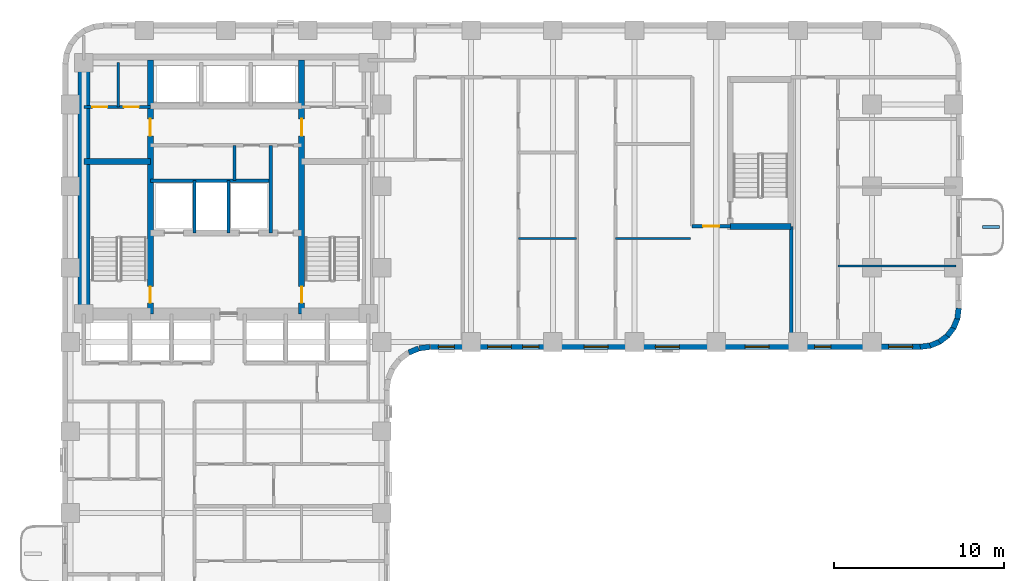
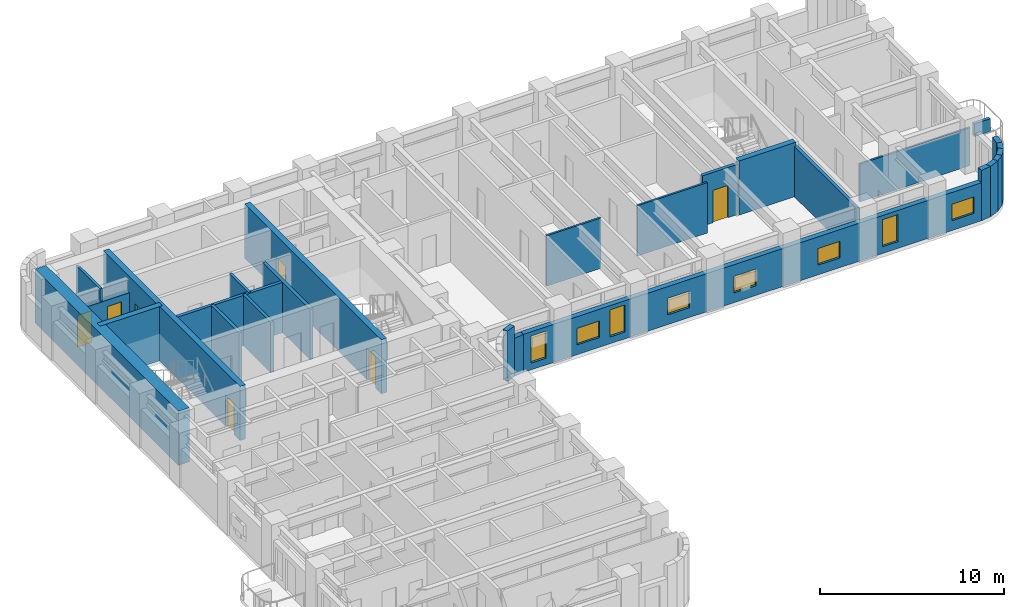
# One storey, part 5 of 11: 27 walls, 8 windows, 7 doors, 15 openings.
"""IFC4 building model written with IfcOpenShell, lengths in metres."""

import ifcopenshell
import ifcopenshell.guid

model = None  # the IFC model being written
_history = None  # IfcOwnerHistory: only IFC2X3 demands one
_inside = {}  # id of a spatial element -> (the spatial element, [elements in it])
_under = {}  # id of a project, library or spatial element -> (it, [spatial elements below it])
_declared = {}  # id of a project -> (the project, [libraries it declares])
_typed = {}  # id of a type object -> (the type object, [elements of that type])
_made_of = {}  # id of a material, layer set ... -> (it, [elements and type objects made of it])


def new_model(schema):
    """Start an empty IFC model of exactly this schema.

    Asked for "IFC4X3", IfcOpenShell would pick the latest addendum, in which some entities
    have other attributes; the version numbers below select the first issue.
    IFC2X3 requires an IfcOwnerHistory on every rooted entity: one is made here for all.
    """
    global model, _history
    if schema == "IFC4X3":
        model = ifcopenshell.file(schema_version=(4, 3, 0, 0))
    else:
        model = ifcopenshell.file(schema=schema)
    _inside.clear()
    _under.clear()
    _declared.clear()
    _typed.clear()
    _made_of.clear()
    _history = None
    if model.schema == "IFC2X3":
        org = make("IfcOrganization", Name="unknown")
        user = make(
            "IfcPersonAndOrganization",
            ThePerson=make("IfcPerson", FamilyName="unknown"),
            TheOrganization=org,
        )
        app = make(
            "IfcApplication",
            ApplicationDeveloper=org,
            Version="unknown",
            ApplicationFullName="unknown",
            ApplicationIdentifier="unknown",
        )
        _history = make(
            "IfcOwnerHistory",
            OwningUser=user,
            OwningApplication=app,
            ChangeAction="ADDED",
            CreationDate=0,
        )
    return model


def make(cls, **values):
    """One entity of the class cls with the attributes given. An attribute that is None is left unset."""
    return model.create_entity(
        cls, **{name: value for name, value in values.items() if value is not None}
    )


def rooted(cls, **values):
    """An entity with a GlobalId (a new one), such as an element, a storey or a relation."""
    return make(cls, GlobalId=ifcopenshell.guid.new(), OwnerHistory=_history, **values)


def si_unit(unit_type, name, prefix=None):
    """IfcSIUnit, for example si_unit("LENGTHUNIT", "METRE", prefix="MILLI")."""
    return make("IfcSIUnit", UnitType=unit_type, Prefix=prefix, Name=name)


def assignment(units):
    """IfcUnitAssignment: the units of a project."""
    return None if units is None else make("IfcUnitAssignment", Units=units)


def point(xyz):
    """IfcCartesianPoint."""
    return None if xyz is None else make("IfcCartesianPoint", Coordinates=xyz)


def direction(xyz):
    """IfcDirection."""
    return None if xyz is None else make("IfcDirection", DirectionRatios=xyz)


def frame(location, z_axis=None, x_axis=None):
    """IfcAxis2Placement3D, a coordinate frame: its origin and axes. An axis left out is left unset."""
    return make(
        "IfcAxis2Placement3D",
        Location=point(location),
        Axis=direction(z_axis),
        RefDirection=direction(x_axis),
    )


def frame_2d(location, x_axis=None):
    """IfcAxis2Placement2D, a coordinate frame in the plane: its origin and x axis."""
    return make(
        "IfcAxis2Placement2D", Location=point(location), RefDirection=direction(x_axis)
    )


def origin():
    """The frame at (0, 0, 0) with its axes left unset."""
    return frame((0.0, 0.0, 0.0))


def place(relative_to, where):
    """IfcLocalPlacement: puts the frame where relative to a parent placement (None: the world)."""
    return make(
        "IfcLocalPlacement", PlacementRelTo=relative_to, RelativePlacement=where
    )


def context(
    kind, dimensions, precision=None, world=None, true_north=None, identifier=None
):
    """IfcGeometricRepresentationContext, for example the 3D "Model" context."""
    return make(
        "IfcGeometricRepresentationContext",
        ContextIdentifier=identifier,
        ContextType=kind,
        CoordinateSpaceDimension=dimensions,
        Precision=precision,
        WorldCoordinateSystem=world,
        TrueNorth=true_north,
    )


def subcontext(parent, identifier, kind, view, scale=None):
    """IfcGeometricRepresentationSubContext, for example "Body" below "Model"."""
    return make(
        "IfcGeometricRepresentationSubContext",
        ContextIdentifier=identifier,
        ContextType=kind,
        ParentContext=parent,
        TargetScale=scale,
        TargetView=view,
    )


def project(units=None, contexts=None):
    """IfcProject with its units and contexts."""
    return rooted(
        "IfcProject",
        Name="project",
        RepresentationContexts=contexts,
        UnitsInContext=assignment(units),
    )


def spatial(cls, under=None, at=None, **own):
    """A site, building, storey or space (cls), placed at a placement, below another one or the project."""
    s = rooted(cls, ObjectPlacement=at, **own)
    if under is not None:
        _under.setdefault(under.id(), (under, []))[1].append(s)
    return s


def profile(cls, at=None, kind="AREA", **sizes):
    """A parametric profile (cls). Its sizes go by their IFC names, for example OverallWidth=200.0."""
    return make(cls, ProfileType=kind, Position=at, **sizes)


def rectangle(**sizes):
    """IfcRectangleProfileDef."""
    return profile("IfcRectangleProfileDef", **sizes)


def extrude(swept, where, along, depth):
    """IfcExtrudedAreaSolid: the profile swept, set in the frame where, extruded along a direction by depth."""
    return make(
        "IfcExtrudedAreaSolid",
        SweptArea=swept,
        Position=where,
        ExtrudedDirection=direction(along),
        Depth=depth,
    )


def shape(context_of_items, identifier, shape_type, items):
    """IfcShapeRepresentation: the items that make up one representation, for example the "Body"."""
    return make(
        "IfcShapeRepresentation",
        ContextOfItems=context_of_items,
        RepresentationIdentifier=identifier,
        RepresentationType=shape_type,
        Items=items,
    )


def material(Name=None, Category=None):
    """IfcMaterial."""
    return make("IfcMaterial", Name=Name, Category=Category)


def layer(
    of_material, thickness, ventilated=None, Name=None, Category=None, Priority=None
):
    """IfcMaterialLayer: one layer of a wall or slab, of a material (None: an air gap)."""
    return make(
        "IfcMaterialLayer",
        Material=of_material,
        LayerThickness=thickness,
        IsVentilated=ventilated,
        Name=Name,
        Category=Category,
        Priority=Priority,
    )


def layer_set(layers, Name=None):
    """IfcMaterialLayerSet."""
    return make("IfcMaterialLayerSet", MaterialLayers=layers, LayerSetName=Name)


def made_of(thing, what):
    """Note that an element or type object is made of a material, layer set ...; save() writes the relation."""
    if what is not None:
        _made_of.setdefault(what.id(), (what, []))[1].append(thing)
    return thing


def type_object(cls, material=None, **own):
    """A type object (cls), such as IfcWallType, which elements share."""
    return made_of(rooted(cls, **own), material)


def element(
    cls,
    number,
    at=None,
    inside=None,
    cuts=None,
    type_object=None,
    material=None,
    context=None,
    identifier="Body",
    shape_type=None,
    held_by="IfcProductDefinitionShape",
    body=None,
    shapes=None,
    **own,
):
    """One element of the class cls, such as IfcWall. Its Tag is "e" and its number.

    at: its placement. inside: the storey or other place that contains it. cuts: it is an
    opening in that element (IfcRelVoidsElement). A single representation is given by context,
    identifier, shape_type and body (its items); several are given by shapes. held_by: the class
    of the entity that holds the representations. save() writes the other relations.
    """
    e = rooted(cls, Tag="e%d" % number, ObjectPlacement=at, **own)
    if body is not None:
        shapes = [shape(context, identifier, shape_type, body)]
    if shapes is not None:
        e.Representation = make(held_by, Representations=shapes)
    if inside is not None:
        _inside.setdefault(inside.id(), (inside, []))[1].append(e)
    if cuts is not None:
        rooted(
            "IfcRelVoidsElement", RelatingBuildingElement=cuts, RelatedOpeningElement=e
        )
    if type_object is not None:
        _typed.setdefault(type_object.id(), (type_object, []))[1].append(e)
    return made_of(e, material)


def fill(opening, filler):
    """IfcRelFillsElement: the door or window that sits in an opening."""
    return rooted(
        "IfcRelFillsElement",
        RelatingOpeningElement=opening,
        RelatedBuildingElement=filler,
    )


def aggregate(whole, parts):
    """IfcRelAggregates: a whole, such as a stair, and the parts it consists of."""
    return rooted("IfcRelAggregates", RelatingObject=whole, RelatedObjects=parts)


def save(model, path):
    """Write the relations noted so far, then the file.

    IfcRelAggregates (storeys below a building ...), IfcRelContainedInSpatialStructure (elements
    in a storey), IfcRelDefinesByType, IfcRelAssociatesMaterial and IfcRelDeclares: one each for
    every whole, place, type object, material and project.
    """
    for whole, parts in _under.values():
        aggregate(whole, parts)
    for where, things in _inside.values():
        rooted(
            "IfcRelContainedInSpatialStructure",
            RelatedElements=things,
            RelatingStructure=where,
        )
    for kind, things in _typed.values():
        rooted("IfcRelDefinesByType", RelatedObjects=things, RelatingType=kind)
    for what, things in _made_of.values():
        rooted("IfcRelAssociatesMaterial", RelatedObjects=things, RelatingMaterial=what)
    for by, libraries in _declared.values():
        rooted("IfcRelDeclares", RelatingContext=by, RelatedDefinitions=libraries)
    model.write(path)


model = new_model("IFC4")

# Units and contexts
model_context = context("Model", 3, precision=1e-05, world=origin(), true_north=direction((0.0, 1.0)))
body_context = subcontext(model_context, "Body", "Model", "MODEL_VIEW")
ifc_project = project(units=[si_unit("LENGTHUNIT", "METRE"), si_unit("AREAUNIT", "SQUARE_METRE"), si_unit("VOLUMEUNIT", "CUBIC_METRE"), si_unit("PLANEANGLEUNIT", "RADIAN"), si_unit("MASSUNIT", "GRAM", prefix="KILO")], contexts=[model_context])

# Site, building, storey
site_placement = place(None, origin())
site = spatial("IfcSite", under=ifc_project, at=site_placement, CompositionType="ELEMENT")
building_placement = place(site_placement, origin())
building = spatial("IfcBuilding", under=site, at=building_placement, Name="Orvandelia Arch Residences", CompositionType="ELEMENT")
storey_placement = place(building_placement, frame((0.0, 0.0, 89.800048828125)))
storey = spatial("IfcBuildingStorey", under=building, at=storey_placement, Name="L23", CompositionType="ELEMENT", Elevation=89.800048828125)

# Wall, openings, doors
ifc_material_1 = material(Name="Concrete C50/60", Category="concrete")
ifc_layer_1 = layer(ifc_material_1, 0.35009765625, Name="Concrete C50/60", Category="concrete")
ifc_layer_set_1 = layer_set([ifc_layer_1], Name="Concrete C50/60")
wall_type_1 = type_object("IfcWallType", Name="WL-CORE-350", PredefinedType="SHEAR", material=ifc_layer_set_1)
wall_1_placement = place(storey_placement, frame((9.9599609375, 30.89990234375, 0.0), z_axis=(0.0, 0.0, 1.0), x_axis=(0.0, 1.0, 0.0)))
wall_1 = element("IfcWall", 1, at=wall_1_placement, inside=storey, type_object=wall_type_1, Name="Core Shear Wall L23-WEB1", PredefinedType="SHEAR", context=body_context, shape_type="SweptSolid", body=[
    extrude(rectangle(XDim=14.900146484375, YDim=0.35009765625, at=frame_2d((7.4501953125, 0.0))), origin(), (0.0, 0.0, 1.0), 3.599853515625),
])
opening_1_placement = place(wall_1_placement, frame((0.64990234375, 0.0, 0.0)))
opening_1 = element("IfcOpeningElement", 2, at=opening_1_placement, cuts=wall_1, Name="Opening D7", PredefinedType="OPENING", context=body_context, shape_type="SweptSolid", body=[
    extrude(rectangle(XDim=0.949951171875, YDim=2.10009765625, at=frame_2d((0.47509765625, 1.050048828125))), frame((0.0, 0.18505859375, 0.0), z_axis=(0.0, -1.0, 0.0), x_axis=(1.0, 0.0, 0.0)), (0.0, 0.0, 1.0), 0.3701171875),
])
opening_2_placement = place(wall_1_placement, frame((10.449951171875, 0.0, 0.0)))
opening_2 = element("IfcOpeningElement", 3, at=opening_2_placement, cuts=wall_1, Name="Opening D6", PredefinedType="OPENING", context=body_context, shape_type="SweptSolid", body=[
    extrude(rectangle(XDim=1.0, YDim=2.14990234375, at=frame_2d((0.5, 1.074951171875))), frame((0.0, 0.18505859375, 0.0), z_axis=(0.0, -1.0, 0.0), x_axis=(1.0, 0.0, 0.0)), (0.0, 0.0, 1.0), 0.3701171875),
])
ifc_material_2 = material(Name="Smokeproof Painted Steel Fire Door", Category="steel")
door_type_1 = type_object("IfcDoorType", Name="DR-FD60-1000", OperationType="NOTDEFINED", PredefinedType="DOOR", material=ifc_material_2)
door_1_placement = place(opening_2_placement, origin())
door_1 = element("IfcDoor", 4, at=door_1_placement, inside=storey, type_object=door_type_1, Name="High-Rise Lift Hall West Vestibule Door L23", OperationType="SINGLE_SWING_LEFT", OverallHeight=2.14990234375, OverallWidth=1.0, PredefinedType="DOOR", context=body_context, shape_type="SweptSolid", body=[
    extrude(rectangle(XDim=1.0, YDim=2.14990234375, at=frame_2d((0.5, 1.074951171875))), frame((0.0, 0.02490234375, 0.0), z_axis=(0.0, -1.0, 0.0), x_axis=(1.0, 0.0, 0.0)), (0.0, 0.0, 1.0), 0.050048828125),
])
fill(opening_2, door_1)
ifc_material_3 = material(Name="Pressurised Stairwell Fire Door")
door_type_2 = type_object("IfcDoorType", Name="DR-STAIR-950", OperationType="NOTDEFINED", PredefinedType="DOOR", material=ifc_material_3)
door_2_placement = place(opening_1_placement, origin())
door_2 = element("IfcDoor", 5, at=door_2_placement, inside=storey, type_object=door_type_2, Name="Stairwell ST-1 Fire Door L23", OperationType="SINGLE_SWING_LEFT", OverallHeight=2.10009765625, OverallWidth=0.949951171875, PredefinedType="DOOR", context=body_context, shape_type="SweptSolid", body=[
    extrude(rectangle(XDim=0.949951171875, YDim=2.10009765625, at=frame_2d((0.47509765625, 1.050048828125))), frame((0.0, 0.02490234375, 0.0), z_axis=(0.0, -1.0, 0.0), x_axis=(1.0, 0.0, 0.0)), (0.0, 0.0, 1.0), 0.050048828125),
])
fill(opening_1, door_2)

wall_2_placement = place(storey_placement, frame((18.840087890625, 30.89990234375, 0.0), z_axis=(0.0, 0.0, 1.0), x_axis=(0.0, 1.0, 0.0)))
wall_2 = element("IfcWall", 6, at=wall_2_placement, inside=storey, type_object=wall_type_1, Name="Core Shear Wall L23-WEB2", PredefinedType="SHEAR", context=body_context, shape_type="SweptSolid", body=[
    extrude(rectangle(XDim=14.900146484375, YDim=0.35009765625, at=frame_2d((7.4501953125, 0.0))), origin(), (0.0, 0.0, 1.0), 3.599853515625),
])
opening_3_placement = place(wall_2_placement, frame((0.64990234375, 0.0, 0.0)))
opening_3 = element("IfcOpeningElement", 7, at=opening_3_placement, cuts=wall_2, Name="Opening D7", PredefinedType="OPENING", context=body_context, shape_type="SweptSolid", body=[
    extrude(rectangle(XDim=0.949951171875, YDim=2.10009765625, at=frame_2d((0.47509765625, 1.050048828125))), frame((0.0, 0.18505859375, 0.0), z_axis=(0.0, -1.0, 0.0), x_axis=(1.0, 0.0, 0.0)), (0.0, 0.0, 1.0), 0.3701171875),
])
opening_4_placement = place(wall_2_placement, frame((10.449951171875, 0.0, 0.0)))
opening_4 = element("IfcOpeningElement", 8, at=opening_4_placement, cuts=wall_2, Name="Opening D6", PredefinedType="OPENING", context=body_context, shape_type="SweptSolid", body=[
    extrude(rectangle(XDim=1.0, YDim=2.14990234375, at=frame_2d((0.5, 1.074951171875))), frame((0.0, 0.18505859375, 0.0), z_axis=(0.0, -1.0, 0.0), x_axis=(1.0, 0.0, 0.0)), (0.0, 0.0, 1.0), 0.3701171875),
])
door_3_placement = place(opening_4_placement, origin())
door_3 = element("IfcDoor", 9, at=door_3_placement, inside=storey, type_object=door_type_1, Name="High-Rise Lift Hall East Vestibule Door L23", OperationType="SINGLE_SWING_RIGHT", OverallHeight=2.14990234375, OverallWidth=1.0, PredefinedType="DOOR", context=body_context, shape_type="SweptSolid", body=[
    extrude(rectangle(XDim=1.0, YDim=2.14990234375, at=frame_2d((0.5, 1.074951171875))), frame((0.0, 0.02490234375, 0.0), z_axis=(0.0, -1.0, 0.0), x_axis=(1.0, 0.0, 0.0)), (0.0, 0.0, 1.0), 0.050048828125),
])
fill(opening_4, door_3)
door_4_placement = place(opening_3_placement, origin())
door_4 = element("IfcDoor", 10, at=door_4_placement, inside=storey, type_object=door_type_2, Name="Stairwell ST-2 Fire Door L23", OperationType="SINGLE_SWING_RIGHT", OverallHeight=2.10009765625, OverallWidth=0.949951171875, PredefinedType="DOOR", context=body_context, shape_type="SweptSolid", body=[
    extrude(rectangle(XDim=0.949951171875, YDim=2.10009765625, at=frame_2d((0.47509765625, 1.050048828125))), frame((0.0, 0.02490234375, 0.0), z_axis=(0.0, -1.0, 0.0), x_axis=(1.0, 0.0, 0.0)), (0.0, 0.0, 1.0), 0.050048828125),
])
fill(opening_3, door_4)

# Walls
wall_3_placement = place(storey_placement, frame((6.050048828125, 39.85009765625, 0.0), z_axis=(0.0, 0.0, 1.0), x_axis=(1.0, 0.0, 0.0)))
element("IfcWall", 11, at=wall_3_placement, inside=storey, type_object=wall_type_1, Name="Core Shear Wall L23-HZ1", PredefinedType="SHEAR", context=body_context, shape_type="SweptSolid", body=[
    extrude(rectangle(XDim=3.909912109375, YDim=0.35009765625, at=frame_2d((1.955078125, 0.0))), origin(), (0.0, 0.0, 1.0), 3.599853515625),
])
wall_4_placement = place(storey_placement, frame((44.02001953125, 36.0400390625, 0.0), z_axis=(0.0, 0.0, 1.0), x_axis=(1.0, 0.0, 0.0)))
element("IfcWall", 12, at=wall_4_placement, inside=storey, type_object=wall_type_1, Name="East Stair Core Shear Wall L23-S", PredefinedType="SHEAR", context=body_context, shape_type="SweptSolid", body=[
    extrude(rectangle(XDim=3.580078125, YDim=0.35009765625, at=frame_2d((1.7900390625, 0.0))), origin(), (0.0, 0.0, 1.0), 3.599853515625),
])
ifc_material_4 = material(Name="Concrete C80/95", Category="concrete")
ifc_layer_2 = layer(ifc_material_4, 0.699951171875, Name="Concrete C80/95", Category="concrete")
ifc_layer_set_2 = layer_set([ifc_layer_2], Name="Concrete C80/95")
wall_type_2 = type_object("IfcWallType", Name="WL-CORE-700", PredefinedType="SHEAR", material=ifc_layer_set_2)
wall_5_placement = place(storey_placement, frame((6.050048828125, 30.550048828125, 0.0), z_axis=(0.0, 0.0, 1.0), x_axis=(0.0, 1.0, 0.0)))
element("IfcWall", 13, at=wall_5_placement, inside=storey, type_object=wall_type_2, Name="Core Shear Wall L23-W", PredefinedType="SHEAR", context=body_context, shape_type="SweptSolid", body=[
    extrude(rectangle(XDim=15.599853515625, YDim=0.699951171875, at=frame_2d((7.7998046875, 0.0))), origin(), (0.0, 0.0, 1.0), 3.599853515625),
])

# Wall, opening, door
ifc_material_5 = material(Name="Fire-Rated Corridor Partition")
ifc_layer_3 = layer(ifc_material_5, 0.199951171875, Name="Fire-Rated Corridor Partition")
ifc_layer_set_3 = layer_set([ifc_layer_3], Name="Fire-Rated Corridor Partition")
wall_type_3 = type_object("IfcWallType", Name="WL-CORR-200", PredefinedType="PARTITIONING", material=ifc_layer_set_3)
wall_6_placement = place(storey_placement, frame((41.780029296875, 36.050048828125, 0.0), z_axis=(0.0, 0.0, 1.0), x_axis=(1.0, 0.0, 0.0)))
wall_6 = element("IfcWall", 14, at=wall_6_placement, inside=storey, type_object=wall_type_3, Name="Interior Partition Wall WL-L23-EN2-SS", PredefinedType="PARTITIONING", context=body_context, shape_type="SweptSolid", body=[
    extrude(rectangle(XDim=2.239990234375, YDim=0.199951171875, at=frame_2d((1.1201171875, 0.0))), origin(), (0.0, 0.0, 1.0), 3.349853515625),
])
opening_5_placement = place(wall_6_placement, frame((0.64990234375, 0.0, 0.0)))
opening_5 = element("IfcOpeningElement", 15, at=opening_5_placement, cuts=wall_6, Name="Opening D2", PredefinedType="OPENING", context=body_context, shape_type="SweptSolid", body=[
    extrude(rectangle(XDim=0.949951171875, YDim=2.14990234375, at=frame_2d((0.47509765625, 1.074951171875))), frame((0.0, 0.10986328125, 0.0), z_axis=(0.0, -1.0, 0.0), x_axis=(1.0, 0.0, 0.0)), (0.0, 0.0, 1.0), 0.219970703125),
])
ifc_material_6 = material(Name="Solid-Core Timber Interior Fire Door", Category="wood")
door_type_3 = type_object("IfcDoorType", Name="DR-APT-950", OperationType="NOTDEFINED", PredefinedType="DOOR", material=ifc_material_6)
door_5_placement = place(opening_5_placement, origin())
door_5 = element("IfcDoor", 16, at=door_5_placement, inside=storey, type_object=door_type_3, Name="DR-L23-EN2SLN", OperationType="SINGLE_SWING_LEFT", OverallHeight=2.14990234375, OverallWidth=0.949951171875, PredefinedType="DOOR", context=body_context, shape_type="SweptSolid", body=[
    extrude(rectangle(XDim=0.949951171875, YDim=2.14990234375, at=frame_2d((0.47509765625, 1.074951171875))), frame((0.0, 0.02490234375, 0.0), z_axis=(0.0, -1.0, 0.0), x_axis=(1.0, 0.0, 0.0)), (0.0, 0.0, 1.0), 0.050048828125),
])
fill(opening_5, door_5)

# Walls
ifc_material_7 = material(Name="Concrete C40/50", Category="concrete")
ifc_layer_4 = layer(ifc_material_7, 0.199951171875, Name="Concrete C40/50", Category="concrete")
ifc_layer_set_4 = layer_set([ifc_layer_4], Name="Concrete C40/50")
wall_type_4 = type_object("IfcWallType", Name="WL-DEM-200", PredefinedType="SOLIDWALL", material=ifc_layer_set_4)
wall_7_placement = place(storey_placement, frame((47.60009765625, 29.1201171875, 0.0), z_axis=(0.0, 0.0, 1.0), x_axis=(0.0, 1.0, 0.0)))
element("IfcWall", 17, at=wall_7_placement, inside=storey, type_object=wall_type_4, Name="Interior Partition Wall WL-L23-EN2-SLE", PredefinedType="SOLIDWALL", context=body_context, shape_type="SweptSolid", body=[
    extrude(rectangle(XDim=6.919921875, YDim=0.199951171875, at=frame_2d((3.4599609375, 0.0))), origin(), (0.0, 0.0, 1.0), 3.349853515625),
])
ifc_material_8 = material(Name="Precast concrete C40/50", Category="concrete")
ifc_layer_5 = layer(ifc_material_8, 0.320068359375, Name="Precast concrete C40/50", Category="concrete")
ifc_layer_set_5 = layer_set([ifc_layer_5], Name="Precast concrete C40/50")
wall_type_5 = type_object("IfcWallType", Name="WL-EXT-STONE-320", PredefinedType="STANDARD", material=ifc_layer_set_5)
wall_8_placement = place(storey_placement, frame((57.44140625, 31.220947265625, 0.0), z_axis=(0.0, 0.0, 1.0), x_axis=(-0.130504898859, -0.991447664465, 0.0)))
element("IfcWall", 18, at=wall_8_placement, inside=storey, type_object=wall_type_5, Name="Coral-Limestone Precast Facade Wall L23-015", PredefinedType="STANDARD", context=body_context, shape_type="SweptSolid", body=[
    extrude(rectangle(XDim=0.626708984375, YDim=0.320068359375, at=frame_2d((0.3134765625, 0.0))), origin(), (0.0, 0.0, 1.0), 3.349853515625),
])
wall_9_placement = place(storey_placement, frame((57.370361328125, 30.639892578125, 0.0), z_axis=(0.0, 0.0, 1.0), x_axis=(-0.382787856107, -0.923836271867, 0.0)))
element("IfcWall", 19, at=wall_9_placement, inside=storey, type_object=wall_type_5, Name="Coral-Limestone Precast Facade Wall L23-016", PredefinedType="STANDARD", context=body_context, shape_type="SweptSolid", body=[
    extrude(rectangle(XDim=0.626220703125, YDim=0.320068359375, at=frame_2d((0.31298828125, 0.0))), origin(), (0.0, 0.0, 1.0), 3.349853515625),
])
wall_10_placement = place(storey_placement, frame((57.151611328125, 30.097412109375, 0.0), z_axis=(0.0, 0.0, 1.0), x_axis=(-0.608693302629, -0.793405610854, 0.0)))
element("IfcWall", 20, at=wall_10_placement, inside=storey, type_object=wall_type_5, Name="Coral-Limestone Precast Facade Wall L23-017", PredefinedType="STANDARD", context=body_context, shape_type="SweptSolid", body=[
    extrude(rectangle(XDim=0.62646484375, YDim=0.320068359375, at=frame_2d((0.313232421875, 0.0))), origin(), (0.0, 0.0, 1.0), 3.349853515625),
])
wall_11_placement = place(storey_placement, frame((56.7998046875, 29.6298828125, 0.0), z_axis=(0.0, 0.0, 1.0), x_axis=(-0.793361818833, -0.608750379399, 0.0)))
element("IfcWall", 21, at=wall_11_placement, inside=storey, type_object=wall_type_5, Name="Coral-Limestone Precast Facade Wall L23-018", PredefinedType="STANDARD", context=body_context, shape_type="SweptSolid", body=[
    extrude(rectangle(XDim=0.626953125, YDim=0.320068359375, at=frame_2d((0.3134765625, 0.0))), origin(), (0.0, 0.0, 1.0), 3.349853515625),
])
for number, where, z_axis, x_axis, name in (
    (22, (56.3388671875, 29.269287109375, 0.0), (0.0, 0.0, 1.0), (-0.92389335771, -0.382650053678, 0.0), "Coral-Limestone Precast Facade Wall L23-019"),
    (23, (55.80029296875, 29.040283203125, 0.0), (0.0, 0.0, 1.0), (-0.9914410257, -0.130555323746, 0.0), "Coral-Limestone Precast Facade Wall L23-020"),
):
    element("IfcWall", number, at=place(storey_placement, frame(where, z_axis=z_axis, x_axis=x_axis)), inside=storey, type_object=wall_type_5, Name=name, PredefinedType="STANDARD", context=body_context, shape_type="SweptSolid", body=[
        extrude(rectangle(XDim=0.62646484375, YDim=0.320068359375, at=frame_2d((0.313232421875, 0.0))), origin(), (0.0, 0.0, 1.0), 3.349853515625),
    ])

# Wall, openings, windows
wall_12_placement = place(storey_placement, frame((55.199951171875, 28.9599609375, 0.0), z_axis=(0.0, 0.0, 1.0), x_axis=(-1.0, 0.0, 0.0)))
wall_12 = element("IfcWall", 24, at=wall_12_placement, inside=storey, type_object=wall_type_5, Name="Coral-Limestone Precast Facade Wall L23-021", PredefinedType="STANDARD", context=body_context, shape_type="SweptSolid", body=[
    extrude(rectangle(XDim=28.800048828125, YDim=0.320068359375, at=frame_2d((14.39990234375, 0.0))), origin(), (0.0, 0.0, 1.0), 2.530029296875),
])
opening_6_placement = place(wall_12_placement, frame((22.424560546875, 0.0, 0.449951171875)))
opening_6 = element("IfcOpeningElement", 25, at=opening_6_placement, cuts=wall_12, Name="Opening W4", PredefinedType="OPENING", context=body_context, shape_type="SweptSolid", body=[
    extrude(rectangle(XDim=0.949951171875, YDim=1.800048828125, at=frame_2d((0.47509765625, 0.89990234375))), frame((0.0, 0.169921875, 0.0), z_axis=(0.0, -1.0, 0.0), x_axis=(1.0, 0.0, 0.0)), (0.0, 0.0, 1.0), 0.340087890625),
])
opening_7_placement = place(wall_12_placement, frame((14.175048828125, 0.0, 0.64990234375)))
opening_7 = element("IfcOpeningElement", 26, at=opening_7_placement, cuts=wall_12, Name="Opening W10", PredefinedType="OPENING", context=body_context, shape_type="SweptSolid", body=[
    extrude(rectangle(XDim=1.39990234375, YDim=1.10009765625, at=frame_2d((0.699951171875, 0.550048828125))), frame((0.0, 0.169921875, 0.0), z_axis=(0.0, -1.0, 0.0), x_axis=(1.0, 0.0, 0.0)), (0.0, 0.0, 1.0), 0.340087890625),
])
opening_8_placement = place(wall_12_placement, frame((0.469970703125, 0.0, 0.64990234375)))
opening_8 = element("IfcOpeningElement", 27, at=opening_8_placement, cuts=wall_12, Name="Opening W10", PredefinedType="OPENING", context=body_context, shape_type="SweptSolid", body=[
    extrude(rectangle(XDim=1.39990234375, YDim=1.10009765625, at=frame_2d((0.699951171875, 0.550048828125))), frame((0.0, 0.169921875, 0.0), z_axis=(0.0, -1.0, 0.0), x_axis=(1.0, 0.0, 0.0)), (0.0, 0.0, 1.0), 0.340087890625),
])
opening_9_placement = place(wall_12_placement, frame((5.2705078125, 0.0, 0.449951171875)))
opening_9 = element("IfcOpeningElement", 28, at=opening_9_placement, cuts=wall_12, Name="Opening W4", PredefinedType="OPENING", context=body_context, shape_type="SweptSolid", body=[
    extrude(rectangle(XDim=0.949951171875, YDim=1.800048828125, at=frame_2d((0.47509765625, 0.89990234375))), frame((0.0, 0.169921875, 0.0), z_axis=(0.0, -1.0, 0.0), x_axis=(1.0, 0.0, 0.0)), (0.0, 0.0, 1.0), 0.340087890625),
])
opening_10_placement = place(wall_12_placement, frame((27.3798828125, 0.0, 0.449951171875)))
opening_10 = element("IfcOpeningElement", 29, at=opening_10_placement, cuts=wall_12, Name="Opening W4", PredefinedType="OPENING", context=body_context, shape_type="SweptSolid", body=[
    extrude(rectangle(XDim=0.949951171875, YDim=1.800048828125, at=frame_2d((0.47509765625, 0.89990234375))), frame((0.0, 0.169921875, 0.0), z_axis=(0.0, -1.0, 0.0), x_axis=(1.0, 0.0, 0.0)), (0.0, 0.0, 1.0), 0.340087890625),
])
opening_11_placement = place(wall_12_placement, frame((8.89990234375, 0.0, 0.64990234375)))
opening_11 = element("IfcOpeningElement", 30, at=opening_11_placement, cuts=wall_12, Name="Opening W10", PredefinedType="OPENING", context=body_context, shape_type="SweptSolid", body=[
    extrude(rectangle(XDim=1.39990234375, YDim=1.10009765625, at=frame_2d((0.699951171875, 0.550048828125))), frame((0.0, 0.169921875, 0.0), z_axis=(0.0, -1.0, 0.0), x_axis=(1.0, 0.0, 0.0)), (0.0, 0.0, 1.0), 0.340087890625),
])
opening_12_placement = place(wall_12_placement, frame((24.029541015625, 0.0, 0.64990234375)))
opening_12 = element("IfcOpeningElement", 31, at=opening_12_placement, cuts=wall_12, Name="Opening W10", PredefinedType="OPENING", context=body_context, shape_type="SweptSolid", body=[
    extrude(rectangle(XDim=1.39990234375, YDim=1.10009765625, at=frame_2d((0.699951171875, 0.550048828125))), frame((0.0, 0.169921875, 0.0), z_axis=(0.0, -1.0, 0.0), x_axis=(1.0, 0.0, 0.0)), (0.0, 0.0, 1.0), 0.340087890625),
])
opening_13_placement = place(wall_12_placement, frame((18.360107421875, 0.0, 0.64990234375)))
opening_13 = element("IfcOpeningElement", 32, at=opening_13_placement, cuts=wall_12, Name="Opening W10", PredefinedType="OPENING", context=body_context, shape_type="SweptSolid", body=[
    extrude(rectangle(XDim=1.39990234375, YDim=1.10009765625, at=frame_2d((0.699951171875, 0.550048828125))), frame((0.0, 0.169921875, 0.0), z_axis=(0.0, -1.0, 0.0), x_axis=(1.0, 0.0, 0.0)), (0.0, 0.0, 1.0), 0.340087890625),
])
ifc_material_9 = material(Name="Tempered Low-E Insulated Glazing", Category="glass")
window_type_1 = type_object("IfcWindowType", Name="WIN-CLR-1400x1100", PartitioningType="SINGLE_PANEL", PredefinedType="WINDOW", material=ifc_material_9)
window_1_placement = place(opening_7_placement, origin())
window_1 = element("IfcWindow", 33, at=window_1_placement, inside=storey, type_object=window_type_1, Name="Recessed Punched Window L23-009", OverallHeight=1.10009765625, OverallWidth=1.39990234375, PartitioningType="SINGLE_PANEL", PredefinedType="WINDOW", context=body_context, shape_type="SweptSolid", body=[
    extrude(rectangle(XDim=1.39990234375, YDim=1.10009765625, at=frame_2d((0.699951171875, 0.550048828125))), frame((0.0, 0.030029296875, 0.0), z_axis=(0.0, -1.0, 0.0), x_axis=(1.0, 0.0, 0.0)), (0.0, 0.0, 1.0), 0.06005859375),
])
fill(opening_7, window_1)
window_2_placement = place(opening_8_placement, origin())
window_2 = element("IfcWindow", 34, at=window_2_placement, inside=storey, type_object=window_type_1, Name="Recessed Punched Window L23-010", OverallHeight=1.10009765625, OverallWidth=1.39990234375, PartitioningType="SINGLE_PANEL", PredefinedType="WINDOW", context=body_context, shape_type="SweptSolid", body=[
    extrude(rectangle(XDim=1.39990234375, YDim=1.10009765625, at=frame_2d((0.699951171875, 0.550048828125))), frame((0.0, 0.030029296875, 0.0), z_axis=(0.0, -1.0, 0.0), x_axis=(1.0, 0.0, 0.0)), (0.0, 0.0, 1.0), 0.06005859375),
])
fill(opening_8, window_2)
window_3_placement = place(opening_11_placement, origin())
window_3 = element("IfcWindow", 35, at=window_3_placement, inside=storey, type_object=window_type_1, Name="Recessed Punched Window L23-013", OverallHeight=1.10009765625, OverallWidth=1.39990234375, PartitioningType="SINGLE_PANEL", PredefinedType="WINDOW", context=body_context, shape_type="SweptSolid", body=[
    extrude(rectangle(XDim=1.39990234375, YDim=1.10009765625, at=frame_2d((0.699951171875, 0.550048828125))), frame((0.0, 0.030029296875, 0.0), z_axis=(0.0, -1.0, 0.0), x_axis=(1.0, 0.0, 0.0)), (0.0, 0.0, 1.0), 0.06005859375),
])
fill(opening_11, window_3)
window_4_placement = place(opening_12_placement, origin())
window_4 = element("IfcWindow", 36, at=window_4_placement, inside=storey, type_object=window_type_1, Name="Recessed Punched Window L23-014", OverallHeight=1.10009765625, OverallWidth=1.39990234375, PartitioningType="SINGLE_PANEL", PredefinedType="WINDOW", context=body_context, shape_type="SweptSolid", body=[
    extrude(rectangle(XDim=1.39990234375, YDim=1.10009765625, at=frame_2d((0.699951171875, 0.550048828125))), frame((0.0, 0.030029296875, 0.0), z_axis=(0.0, -1.0, 0.0), x_axis=(1.0, 0.0, 0.0)), (0.0, 0.0, 1.0), 0.06005859375),
])
fill(opening_12, window_4)
window_5_placement = place(opening_13_placement, origin())
window_5 = element("IfcWindow", 37, at=window_5_placement, inside=storey, type_object=window_type_1, Name="Recessed Punched Window L23-015", OverallHeight=1.10009765625, OverallWidth=1.39990234375, PartitioningType="SINGLE_PANEL", PredefinedType="WINDOW", context=body_context, shape_type="SweptSolid", body=[
    extrude(rectangle(XDim=1.39990234375, YDim=1.10009765625, at=frame_2d((0.699951171875, 0.550048828125))), frame((0.0, 0.030029296875, 0.0), z_axis=(0.0, -1.0, 0.0), x_axis=(1.0, 0.0, 0.0)), (0.0, 0.0, 1.0), 0.06005859375),
])
fill(opening_13, window_5)
window_type_2 = type_object("IfcWindowType", Name="WIN-RES-0950x1800", PartitioningType="SINGLE_PANEL", PredefinedType="WINDOW", material=ifc_material_9)
window_6_placement = place(opening_6_placement, origin())
window_6 = element("IfcWindow", 38, at=window_6_placement, inside=storey, type_object=window_type_2, Name="Recessed Punched Window L23-008", OverallHeight=1.800048828125, OverallWidth=0.949951171875, PartitioningType="SINGLE_PANEL", PredefinedType="WINDOW", context=body_context, shape_type="SweptSolid", body=[
    extrude(rectangle(XDim=0.949951171875, YDim=1.800048828125, at=frame_2d((0.47509765625, 0.89990234375))), frame((0.0, 0.030029296875, 0.0), z_axis=(0.0, -1.0, 0.0), x_axis=(1.0, 0.0, 0.0)), (0.0, 0.0, 1.0), 0.06005859375),
])
fill(opening_6, window_6)
window_7_placement = place(opening_9_placement, origin())
window_7 = element("IfcWindow", 39, at=window_7_placement, inside=storey, type_object=window_type_2, Name="Recessed Punched Window L23-011", OverallHeight=1.800048828125, OverallWidth=0.949951171875, PartitioningType="SINGLE_PANEL", PredefinedType="WINDOW", context=body_context, shape_type="SweptSolid", body=[
    extrude(rectangle(XDim=0.949951171875, YDim=1.800048828125, at=frame_2d((0.47509765625, 0.89990234375))), frame((0.0, 0.030029296875, 0.0), z_axis=(0.0, -1.0, 0.0), x_axis=(1.0, 0.0, 0.0)), (0.0, 0.0, 1.0), 0.06005859375),
])
fill(opening_9, window_7)
window_8_placement = place(opening_10_placement, origin())
window_8 = element("IfcWindow", 40, at=window_8_placement, inside=storey, type_object=window_type_2, Name="Recessed Punched Window L23-012", OverallHeight=1.800048828125, OverallWidth=0.949951171875, PartitioningType="SINGLE_PANEL", PredefinedType="WINDOW", context=body_context, shape_type="SweptSolid", body=[
    extrude(rectangle(XDim=0.949951171875, YDim=1.800048828125, at=frame_2d((0.47509765625, 0.89990234375))), frame((0.0, 0.030029296875, 0.0), z_axis=(0.0, -1.0, 0.0), x_axis=(1.0, 0.0, 0.0)), (0.0, 0.0, 1.0), 0.06005859375),
])
fill(opening_10, window_8)

# Walls
wall_13_placement = place(storey_placement, frame((26.379150390625, 28.95849609375, 0.0), z_axis=(0.0, 0.0, 1.0), x_axis=(-0.991447664465, -0.130504898859, 0.0)))
element("IfcWall", 41, at=wall_13_placement, inside=storey, type_object=wall_type_5, Name="Coral-Limestone Precast Facade Wall L23-022", PredefinedType="STANDARD", context=body_context, shape_type="SweptSolid", body=[
    extrude(rectangle(XDim=0.626708984375, YDim=0.320068359375, at=frame_2d((0.3134765625, 0.0))), origin(), (0.0, 0.0, 1.0), 2.530029296875),
])
wall_14_placement = place(storey_placement, frame((25.717529296875, 28.865966796875, 0.0), z_axis=(0.0, 0.0, 1.0), x_axis=(-0.923836271867, -0.382787856107, 0.0)))
element("IfcWall", 42, at=wall_14_placement, inside=storey, type_object=wall_type_5, Name="Coral-Limestone Precast Facade Wall L23-023", PredefinedType="STANDARD", context=body_context, shape_type="SweptSolid", body=[
    extrude(rectangle(XDim=0.626220703125, YDim=0.320068359375, at=frame_2d((0.31298828125, 0.0))), origin(), (0.0, 0.0, 1.0), 3.349853515625),
])
ifc_material_10 = material(Name="Lightweight Gypsum Stud Partition")
ifc_layer_6 = layer(ifc_material_10, 0.1201171875, Name="Lightweight Gypsum Stud Partition")
ifc_layer_set_6 = layer_set([ifc_layer_6], Name="Lightweight Gypsum Stud Partition")
wall_type_6 = type_object("IfcWallType", Name="WL-PART-120", PredefinedType="PARTITIONING", material=ifc_layer_set_6)
wall_15_placement = place(storey_placement, frame((31.571044921875, 35.31591796875, 0.0), z_axis=(0.0, 0.0, 1.0), x_axis=(1.0, 0.0, 0.0)))
element("IfcWall", 43, at=wall_15_placement, inside=storey, type_object=wall_type_6, Name="Interior Partition Wall WL-L23-U06-H1", PredefinedType="PARTITIONING", context=body_context, shape_type="SweptSolid", body=[
    extrude(rectangle(XDim=3.428955078125, YDim=0.1201171875, at=frame_2d((1.71435546875, 0.0))), origin(), (0.0, 0.0, 1.0), 3.349853515625),
])
wall_16_placement = place(storey_placement, frame((37.280029296875, 35.31591796875, 0.0), z_axis=(0.0, 0.0, 1.0), x_axis=(1.0, 0.0, 0.0)))
element("IfcWall", 44, at=wall_16_placement, inside=storey, type_object=wall_type_6, Name="Interior Partition Wall WL-L23-U07-H1", PredefinedType="PARTITIONING", context=body_context, shape_type="SweptSolid", body=[
    extrude(rectangle(XDim=4.39990234375, YDim=0.1201171875, at=frame_2d((2.199951171875, 0.0))), origin(), (0.0, 0.0, 1.0), 3.349853515625),
])
wall_17_placement = place(storey_placement, frame((50.339111328125, 33.7109375, 0.0), z_axis=(0.0, 0.0, 1.0), x_axis=(1.0, 0.0, 0.0)))
element("IfcWall", 45, at=wall_17_placement, inside=storey, type_object=wall_type_6, Name="Interior Partition Wall WL-L23-U08-H0", PredefinedType="PARTITIONING", context=body_context, shape_type="SweptSolid", body=[
    extrude(rectangle(XDim=6.94091796875, YDim=0.1201171875, at=frame_2d((3.470458984375, 0.0))), origin(), (0.0, 0.0, 1.0), 2.530029296875),
])
ifc_material_11 = material(Name="Acoustic Gypsum Stud Partition")
ifc_layer_7 = layer(ifc_material_11, 0.14990234375, Name="Acoustic Gypsum Stud Partition")
ifc_layer_set_7 = layer_set([ifc_layer_7], Name="Acoustic Gypsum Stud Partition")
wall_type_7 = type_object("IfcWallType", Name="WL-PART-150", PredefinedType="PARTITIONING", material=ifc_layer_set_7)
wall_18_placement = place(storey_placement, frame((8.06005859375, 43.050048828125, 0.0), z_axis=(0.0, 0.0, 1.0), x_axis=(0.0, 1.0, 0.0)))
element("IfcWall", 46, at=wall_18_placement, inside=storey, type_object=wall_type_7, Name="Interior Partition Wall WL-L23-CRELC-M", PredefinedType="PARTITIONING", context=body_context, shape_type="SweptSolid", body=[
    extrude(rectangle(XDim=2.599853515625, YDim=0.14990234375, at=frame_2d((1.2998046875, 0.0))), origin(), (0.0, 0.0, 1.0), 3.349853515625),
])
wall_19_placement = place(storey_placement, frame((14.89990234375, 38.719970703125, 0.0), z_axis=(0.0, 0.0, 1.0), x_axis=(0.0, 1.0, 0.0)))
element("IfcWall", 47, at=wall_19_placement, inside=storey, type_object=wall_type_7, Name="Interior Partition Wall WL-L23-CSA-1", PredefinedType="PARTITIONING", context=body_context, shape_type="SweptSolid", body=[
    extrude(rectangle(XDim=2.080078125, YDim=0.14990234375, at=frame_2d((1.0400390625, 0.0))), origin(), (0.0, 0.0, 1.0), 3.349853515625),
])
ifc_layer_8 = layer(ifc_material_8, 0.199951171875, Name="Precast concrete C40/50", Category="concrete")
ifc_layer_set_8 = layer_set([ifc_layer_8], Name="Precast concrete C40/50")
wall_type_8 = type_object("IfcWallType", Name="WL-PLANTER-200", PredefinedType="MOVABLE", material=ifc_layer_set_8)
wall_20_placement = place(storey_placement, frame((58.85009765625, 36.0, 0.0), z_axis=(0.0, 0.0, 1.0), x_axis=(1.0, 0.0, 0.0)))
element("IfcWall", 48, at=wall_20_placement, inside=storey, type_object=wall_type_8, Name="Balcony Precast Tree Planter BAL-L23-E1", PredefinedType="MOVABLE", context=body_context, shape_type="SweptSolid", body=[
    extrude(rectangle(XDim=1.0, YDim=0.199951171875, at=frame_2d((0.5, 0.0))), origin(), (0.0, 0.0, 1.0), 0.849853515625),
])
ifc_material_12 = material(Name="Fire-Rated Shaft Enclosure Wall")
ifc_layer_9 = layer(ifc_material_12, 0.199951171875, Name="Fire-Rated Shaft Enclosure Wall")
ifc_layer_set_9 = layer_set([ifc_layer_9], Name="Fire-Rated Shaft Enclosure Wall")
wall_type_9 = type_object("IfcWallType", Name="WL-SHAFT-200", PredefinedType="POLYGONAL", material=ifc_layer_set_9)
wall_21_placement = place(storey_placement, frame((9.9599609375, 38.719970703125, 0.0), z_axis=(0.0, 0.0, 1.0), x_axis=(1.0, 0.0, 0.0)))
element("IfcWall", 49, at=wall_21_placement, inside=storey, type_object=wall_type_9, Name="Interior Partition Wall WL-L23-FLN", PredefinedType="POLYGONAL", context=body_context, shape_type="SweptSolid", body=[
    extrude(rectangle(XDim=7.06005859375, YDim=0.199951171875, at=frame_2d((3.530029296875, 0.0))), origin(), (0.0, 0.0, 1.0), 3.349853515625),
])
for number, where, z_axis, x_axis, name in (
    (50, (12.550048828125, 35.64990234375, 0.0), (0.0, 0.0, 1.0), (0.0, 1.0, 0.0), "Interior Partition Wall WL-L23-FLM1"),
    (51, (14.550048828125, 35.64990234375, 0.0), (0.0, 0.0, 1.0), (0.0, 1.0, 0.0), "Interior Partition Wall WL-L23-FLM2"),
):
    element("IfcWall", number, at=place(storey_placement, frame(where, z_axis=z_axis, x_axis=x_axis)), inside=storey, type_object=wall_type_9, Name=name, PredefinedType="POLYGONAL", context=body_context, shape_type="SweptSolid", body=[
        extrude(rectangle(XDim=3.070068359375, YDim=0.199951171875, at=frame_2d((1.53515625, 0.0))), origin(), (0.0, 0.0, 1.0), 3.349853515625),
    ])
wall_22_placement = place(storey_placement, frame((17.02001953125, 35.64990234375, 0.0), z_axis=(0.0, 0.0, 1.0), x_axis=(0.0, 1.0, 0.0)))
element("IfcWall", 52, at=wall_22_placement, inside=storey, type_object=wall_type_9, Name="Interior Partition Wall WL-L23-FLM3", PredefinedType="POLYGONAL", context=body_context, shape_type="SweptSolid", body=[
    extrude(rectangle(XDim=5.150146484375, YDim=0.199951171875, at=frame_2d((2.5751953125, 0.0))), origin(), (0.0, 0.0, 1.0), 3.349853515625),
])

# Wall, openings, doors
wall_23_placement = place(storey_placement, frame((6.050048828125, 43.050048828125, 0.0), z_axis=(0.0, 0.0, 1.0), x_axis=(1.0, 0.0, 0.0)))
wall_23 = element("IfcWall", 53, at=wall_23_placement, inside=storey, type_object=wall_type_9, Name="Interior Partition Wall WL-L23-HLW-N", PredefinedType="POLYGONAL", context=body_context, shape_type="SweptSolid", body=[
    extrude(rectangle(XDim=3.909912109375, YDim=0.199951171875, at=frame_2d((1.955078125, 0.0))), origin(), (0.0, 0.0, 1.0), 2.530029296875),
])
opening_14_placement = place(wall_23_placement, frame((0.5, 0.0, 0.0)))
opening_14 = element("IfcOpeningElement", 54, at=opening_14_placement, cuts=wall_23, Name="Opening D5", PredefinedType="OPENING", context=body_context, shape_type="SweptSolid", body=[
    extrude(rectangle(XDim=0.8798828125, YDim=2.10009765625, at=frame_2d((0.43994140625, 1.050048828125))), frame((0.0, 0.10986328125, 0.0), z_axis=(0.0, -1.0, 0.0), x_axis=(1.0, 0.0, 0.0)), (0.0, 0.0, 1.0), 0.219970703125),
])
opening_15_placement = place(wall_23_placement, frame((2.35009765625, 0.0, 0.0)))
opening_15 = element("IfcOpeningElement", 55, at=opening_15_placement, cuts=wall_23, Name="Opening D5", PredefinedType="OPENING", context=body_context, shape_type="SweptSolid", body=[
    extrude(rectangle(XDim=0.8798828125, YDim=2.10009765625, at=frame_2d((0.43994140625, 1.050048828125))), frame((0.0, 0.10986328125, 0.0), z_axis=(0.0, -1.0, 0.0), x_axis=(1.0, 0.0, 0.0)), (0.0, 0.0, 1.0), 0.219970703125),
])
ifc_material_13 = material(Name="Painted Galvanised Steel Service Door", Category="steel")
door_type_4 = type_object("IfcDoorType", Name="DR-SRV-880", OperationType="NOTDEFINED", PredefinedType="DOOR", material=ifc_material_13)
door_6_placement = place(opening_14_placement, origin())
door_6 = element("IfcDoor", 56, at=door_6_placement, inside=storey, type_object=door_type_4, Name="DR-L23-CRELC1", OperationType="SINGLE_SWING_LEFT", OverallHeight=2.10009765625, OverallWidth=0.8798828125, PredefinedType="DOOR", context=body_context, shape_type="SweptSolid", body=[
    extrude(rectangle(XDim=0.8798828125, YDim=2.10009765625, at=frame_2d((0.43994140625, 1.050048828125))), frame((0.0, 0.02490234375, 0.0), z_axis=(0.0, -1.0, 0.0), x_axis=(1.0, 0.0, 0.0)), (0.0, 0.0, 1.0), 0.050048828125),
])
fill(opening_14, door_6)
door_7_placement = place(opening_15_placement, origin())
door_7 = element("IfcDoor", 57, at=door_7_placement, inside=storey, type_object=door_type_4, Name="DR-L23-CRELC2", OperationType="SINGLE_SWING_RIGHT", OverallHeight=2.10009765625, OverallWidth=0.8798828125, PredefinedType="DOOR", context=body_context, shape_type="SweptSolid", body=[
    extrude(rectangle(XDim=0.8798828125, YDim=2.10009765625, at=frame_2d((0.43994140625, 1.050048828125))), frame((0.0, 0.02490234375, 0.0), z_axis=(0.0, -1.0, 0.0), x_axis=(1.0, 0.0, 0.0)), (0.0, 0.0, 1.0), 0.050048828125),
])
fill(opening_15, door_7)

save(model, "model.ifc")
